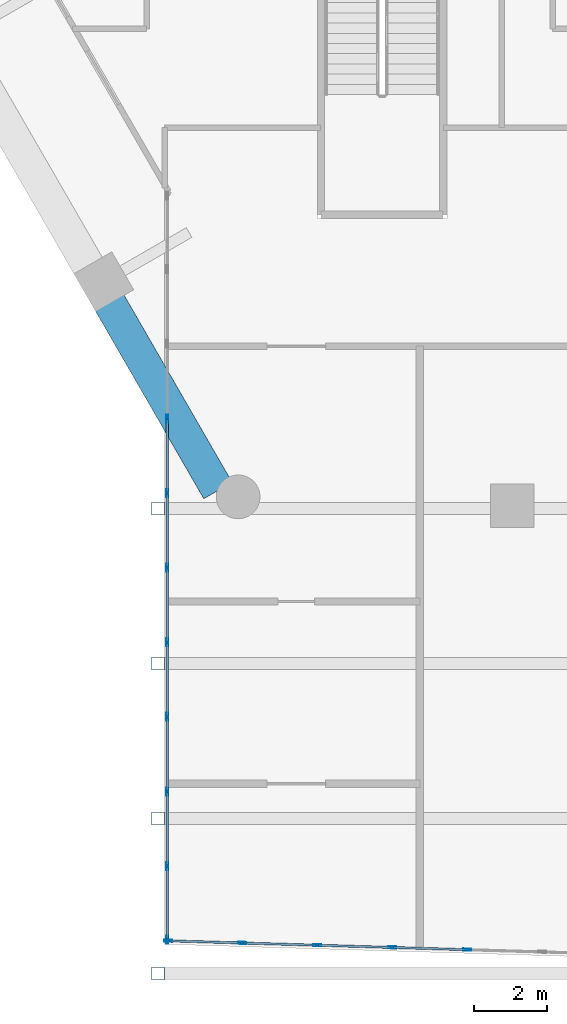
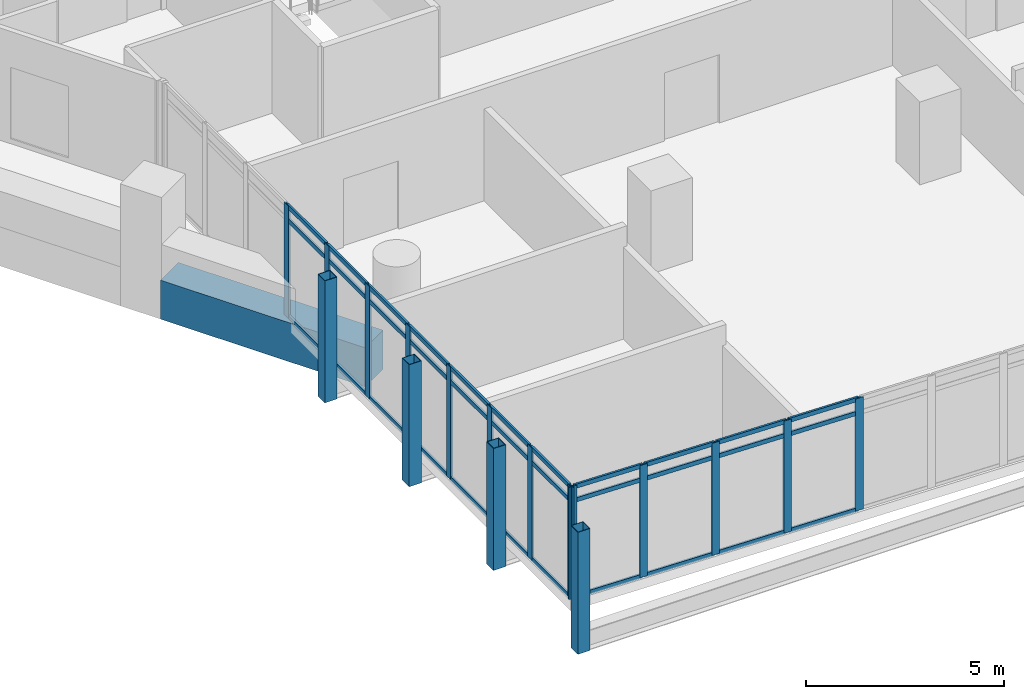
# One storey, part 2 of 28: 50 members, 1 beam, 2 elements without a shape of their own.
"""IFC4 building model written with IfcOpenShell, lengths in metres."""

from ifc_helpers import new_model, si_unit, direction, frame, origin, origin_2d, place, context, subcontext, project, spatial, rectangle, hollow_rectangle, extrude, material, material_profile, profile_set, type_object, element, aggregate, save


model = new_model("IFC4")

# Units and contexts
model_context = context("Model", 3, precision=1e-05, world=origin(), true_north=direction((0.0, 1.0)))
body_context = subcontext(model_context, "Body", "Model", "MODEL_VIEW")
ifc_project = project(units=[si_unit("LENGTHUNIT", "METRE"), si_unit("AREAUNIT", "SQUARE_METRE"), si_unit("VOLUMEUNIT", "CUBIC_METRE"), si_unit("PLANEANGLEUNIT", "RADIAN"), si_unit("MASSUNIT", "GRAM", prefix="KILO")], contexts=[model_context])

# Site, building, storey
site_placement = place(None, origin())
site = spatial("IfcSite", under=ifc_project, at=site_placement, CompositionType="ELEMENT")
building_placement = place(site_placement, origin())
building = spatial("IfcBuilding", under=site, at=building_placement, Name="Ostrander Bayou Hotel Tower", CompositionType="ELEMENT")
storey_placement = place(building_placement, frame((0.0, 0.0, 100.5)))
storey = spatial("IfcBuildingStorey", under=building, at=storey_placement, Name="L25", CompositionType="ELEMENT", Elevation=100.5)

# Curtain wall, members
ifc_material_1 = material(Name="Aluminium and clear glass", Category="aluminium")
curtain_wall_type = type_object("IfcCurtainWallType", Name="CW-BAR glazed wall", PredefinedType="NOTDEFINED", material=ifc_material_1)
curtain_wall_1_placement = place(storey_placement, origin())
curtain_wall_1 = element("IfcCurtainWall", 1, at=curtain_wall_1_placement, inside=storey, type_object=curtain_wall_type, Name="CW-BAR L25:SB2S:E", PredefinedType="NOTDEFINED")
ifc_material_2 = material(Name="Aluminium", Category="aluminium")
ifc_material_profile_1 = material_profile(ifc_material_2, hollow_rectangle(XDim=0.06005859375, YDim=0.219970703125, WallThickness=0.00390625, at=origin_2d()))
ifc_profile_set_1 = profile_set([ifc_material_profile_1], Name="Aluminium")
member_type_1 = type_object("IfcMemberType", Name="CW-BR mullion 60 x 220 mm", PredefinedType="MULLION", material=ifc_profile_set_1)
member_1_placement = place(storey_placement, frame((-13.3671875, -16.98388671875, 0.0), z_axis=(0.0, 0.0, 1.0), x_axis=(1.0, 0.0, 0.0)))
member_1 = element("IfcMember", 2, at=member_1_placement, type_object=member_type_1, Name="CW-BAR mullion 4", PredefinedType="MULLION", context=body_context, shape_type="SweptSolid", body=[
    extrude(hollow_rectangle(XDim=0.06005859375, YDim=0.219970703125, WallThickness=0.00390625, at=origin_2d()), origin(), (0.0, 0.0, 1.0), 3.449951171875),
])
member_2_placement = place(storey_placement, frame((-13.3671875, -19.029296875, 0.0), z_axis=(0.0, 0.0, 1.0), x_axis=(1.0, 0.0, 0.0)))
member_2 = element("IfcMember", 3, at=member_2_placement, type_object=member_type_1, Name="CW-BAR mullion 5", PredefinedType="MULLION", context=body_context, shape_type="SweptSolid", body=[
    extrude(hollow_rectangle(XDim=0.06005859375, YDim=0.219970703125, WallThickness=0.00390625, at=origin_2d()), origin(), (0.0, 0.0, 1.0), 3.449951171875),
])
member_3_placement = place(storey_placement, frame((-13.3671875, -21.07470703125, 0.0), z_axis=(0.0, 0.0, 1.0), x_axis=(1.0, 0.0, 0.0)))
member_3 = element("IfcMember", 4, at=member_3_placement, type_object=member_type_1, Name="CW-BAR mullion 6", PredefinedType="MULLION", context=body_context, shape_type="SweptSolid", body=[
    extrude(hollow_rectangle(XDim=0.06005859375, YDim=0.219970703125, WallThickness=0.00390625, at=origin_2d()), origin(), (0.0, 0.0, 1.0), 3.449951171875),
])
member_4_placement = place(storey_placement, frame((-13.3671875, -23.120361328125, 0.0), z_axis=(0.0, 0.0, 1.0), x_axis=(1.0, 0.0, 0.0)))
member_4 = element("IfcMember", 5, at=member_4_placement, type_object=member_type_1, Name="CW-BAR mullion 7", PredefinedType="MULLION", context=body_context, shape_type="SweptSolid", body=[
    extrude(hollow_rectangle(XDim=0.06005859375, YDim=0.219970703125, WallThickness=0.00390625, at=origin_2d()), origin(), (0.0, 0.0, 1.0), 3.449951171875),
])
member_5_placement = place(storey_placement, frame((-13.3671875, -25.165771484375, 0.0), z_axis=(0.0, 0.0, 1.0), x_axis=(1.0, 0.0, 0.0)))
member_5 = element("IfcMember", 6, at=member_5_placement, type_object=member_type_1, Name="CW-BAR mullion 8", PredefinedType="MULLION", context=body_context, shape_type="SweptSolid", body=[
    extrude(hollow_rectangle(XDim=0.06005859375, YDim=0.219970703125, WallThickness=0.00390625, at=origin_2d()), origin(), (0.0, 0.0, 1.0), 3.449951171875),
])
member_6_placement = place(storey_placement, frame((-13.3671875, -27.211181640625, 0.0), z_axis=(0.0, 0.0, 1.0), x_axis=(1.0, 0.0, 0.0)))
member_6 = element("IfcMember", 7, at=member_6_placement, type_object=member_type_1, Name="CW-BAR mullion 9", PredefinedType="MULLION", context=body_context, shape_type="SweptSolid", body=[
    extrude(hollow_rectangle(XDim=0.06005859375, YDim=0.219970703125, WallThickness=0.00390625, at=origin_2d()), origin(), (0.0, 0.0, 1.0), 3.449951171875),
])
member_7_placement = place(storey_placement, frame((-13.3671875, -29.256591796875, 0.0), z_axis=(0.0, 0.0, 1.0), x_axis=(1.0, 0.0, 0.0)))
member_7 = element("IfcMember", 8, at=member_7_placement, type_object=member_type_1, Name="CW-BAR mullion 10", PredefinedType="MULLION", context=body_context, shape_type="SweptSolid", body=[
    extrude(hollow_rectangle(XDim=0.06005859375, YDim=0.219970703125, WallThickness=0.00390625, at=origin_2d()), origin(), (0.0, 0.0, 1.0), 3.449951171875),
])
member_8_placement = place(storey_placement, frame((-13.3671875, -31.272216796875, 0.0), z_axis=(0.0, 0.0, 1.0), x_axis=(1.0, 0.0, 0.0)))
member_8 = element("IfcMember", 9, at=member_8_placement, type_object=member_type_1, Name="CW-BAR mullion 11", PredefinedType="MULLION", context=body_context, shape_type="SweptSolid", body=[
    extrude(hollow_rectangle(XDim=0.06005859375, YDim=0.219970703125, WallThickness=0.00390625, at=origin_2d()), origin(), (0.0, 0.0, 1.0), 3.449951171875),
])

curtain_wall_2_placement = place(storey_placement, origin())
curtain_wall_2 = element("IfcCurtainWall", 10, at=curtain_wall_2_placement, inside=storey, type_object=curtain_wall_type, Name="CW-BAR L25:SB2S:T", PredefinedType="NOTDEFINED")
member_9_placement = place(storey_placement, frame((-13.337158203125, -31.302978515625, 0.0), z_axis=(0.0, 0.0, 1.0), x_axis=(0.029746242041, 0.999557482631, 0.0)))
member_9 = element("IfcMember", 11, at=member_9_placement, type_object=member_type_1, Name="CW-BAR mullion 1", PredefinedType="MULLION", context=body_context, shape_type="SweptSolid", body=[
    extrude(hollow_rectangle(XDim=0.06005859375, YDim=0.219970703125, WallThickness=0.00390625, at=origin_2d()), origin(), (0.0, 0.0, 1.0), 3.449951171875),
])
member_10_placement = place(storey_placement, frame((-11.310791015625, -31.36328125, 0.0), z_axis=(0.0, 0.0, 1.0), x_axis=(0.029746242041, 0.999557482631, 0.0)))
member_10 = element("IfcMember", 12, at=member_10_placement, type_object=member_type_1, Name="CW-BAR mullion 2", PredefinedType="MULLION", context=body_context, shape_type="SweptSolid", body=[
    extrude(hollow_rectangle(XDim=0.06005859375, YDim=0.219970703125, WallThickness=0.00390625, at=origin_2d()), origin(), (0.0, 0.0, 1.0), 3.449951171875),
])
member_11_placement = place(storey_placement, frame((-9.254150390625, -31.424560546875, 0.0), z_axis=(0.0, 0.0, 1.0), x_axis=(0.029746242041, 0.999557482631, 0.0)))
member_11 = element("IfcMember", 13, at=member_11_placement, type_object=member_type_1, Name="CW-BAR mullion 3", PredefinedType="MULLION", context=body_context, shape_type="SweptSolid", body=[
    extrude(hollow_rectangle(XDim=0.06005859375, YDim=0.219970703125, WallThickness=0.00390625, at=origin_2d()), origin(), (0.0, 0.0, 1.0), 3.449951171875),
])
member_12_placement = place(storey_placement, frame((-7.19775390625, -31.48583984375, 0.0), z_axis=(0.0, 0.0, 1.0), x_axis=(0.029746242041, 0.999557482631, 0.0)))
member_12 = element("IfcMember", 14, at=member_12_placement, type_object=member_type_1, Name="CW-BAR mullion 4", PredefinedType="MULLION", context=body_context, shape_type="SweptSolid", body=[
    extrude(hollow_rectangle(XDim=0.06005859375, YDim=0.219970703125, WallThickness=0.00390625, at=origin_2d()), origin(), (0.0, 0.0, 1.0), 3.449951171875),
])
member_13_placement = place(storey_placement, frame((-5.14111328125, -31.547119140625, 0.0), z_axis=(0.0, 0.0, 1.0), x_axis=(0.029746242041, 0.999557482631, 0.0)))
member_13 = element("IfcMember", 15, at=member_13_placement, type_object=member_type_1, Name="CW-BAR mullion 5", PredefinedType="MULLION", context=body_context, shape_type="SweptSolid", body=[
    extrude(hollow_rectangle(XDim=0.06005859375, YDim=0.219970703125, WallThickness=0.00390625, at=origin_2d()), origin(), (0.0, 0.0, 1.0), 3.449951171875),
])

# Member
ifc_material_3 = material(Name="Aluminium", Category="aluminium")
ifc_material_profile_2 = material_profile(ifc_material_3, hollow_rectangle(XDim=0.06005859375, YDim=0.1298828125, WallThickness=0.00390625, at=origin_2d()))
ifc_profile_set_2 = profile_set([ifc_material_profile_2], Name="Aluminium")
member_type_2 = type_object("IfcMemberType", Name="CW-BR transom 60 x 130 mm", PredefinedType="USERDEFINED", material=ifc_profile_set_2)
member_14_placement = place(storey_placement, frame((-13.3671875, -17.013671875, 0.030029296875), z_axis=(0.0, -1.0, 0.0), x_axis=(1.0, 0.0, 0.0)))
member_14 = element("IfcMember", 16, at=member_14_placement, type_object=member_type_2, Name="CW-BAR transom 4.1", ObjectType="TRANSOM", PredefinedType="USERDEFINED", context=body_context, shape_type="SweptSolid", body=[
    extrude(hollow_rectangle(XDim=0.06005859375, YDim=0.1298828125, WallThickness=0.00390625, at=origin_2d()), origin(), (0.0, 0.0, 1.0), 1.985595703125),
])

member_15_placement = place(storey_placement, frame((-13.3671875, -17.013671875, 3.0), z_axis=(0.0, -1.0, 0.0), x_axis=(1.0, 0.0, 0.0)))
member_15 = element("IfcMember", 17, at=member_15_placement, type_object=member_type_2, Name="CW-BAR transom 4.2", ObjectType="TRANSOM", PredefinedType="USERDEFINED", context=body_context, shape_type="SweptSolid", body=[
    extrude(hollow_rectangle(XDim=0.06005859375, YDim=0.1298828125, WallThickness=0.00390625, at=origin_2d()), origin(), (0.0, 0.0, 1.0), 1.985595703125),
])

member_16_placement = place(storey_placement, frame((-13.3671875, -17.013671875, 3.419921875), z_axis=(0.0, -1.0, 0.0), x_axis=(1.0, 0.0, 0.0)))
member_16 = element("IfcMember", 18, at=member_16_placement, type_object=member_type_2, Name="CW-BAR transom 4.3", ObjectType="TRANSOM", PredefinedType="USERDEFINED", context=body_context, shape_type="SweptSolid", body=[
    extrude(hollow_rectangle(XDim=0.06005859375, YDim=0.1298828125, WallThickness=0.00390625, at=origin_2d()), origin(), (0.0, 0.0, 1.0), 1.985595703125),
])

member_17_placement = place(storey_placement, frame((-13.3671875, -19.059326171875, 0.030029296875), z_axis=(0.0, -1.0, 0.0), x_axis=(1.0, 0.0, 0.0)))
member_17 = element("IfcMember", 19, at=member_17_placement, type_object=member_type_2, Name="CW-BAR transom 5.1", ObjectType="TRANSOM", PredefinedType="USERDEFINED", context=body_context, shape_type="SweptSolid", body=[
    extrude(hollow_rectangle(XDim=0.06005859375, YDim=0.1298828125, WallThickness=0.00390625, at=origin_2d()), origin(), (0.0, 0.0, 1.0), 1.9853515625),
])

member_18_placement = place(storey_placement, frame((-13.3671875, -19.059326171875, 3.0), z_axis=(0.0, -1.0, 0.0), x_axis=(1.0, 0.0, 0.0)))
member_18 = element("IfcMember", 20, at=member_18_placement, type_object=member_type_2, Name="CW-BAR transom 5.2", ObjectType="TRANSOM", PredefinedType="USERDEFINED", context=body_context, shape_type="SweptSolid", body=[
    extrude(hollow_rectangle(XDim=0.06005859375, YDim=0.1298828125, WallThickness=0.00390625, at=origin_2d()), origin(), (0.0, 0.0, 1.0), 1.9853515625),
])

member_19_placement = place(storey_placement, frame((-13.3671875, -19.059326171875, 3.419921875), z_axis=(0.0, -1.0, 0.0), x_axis=(1.0, 0.0, 0.0)))
member_19 = element("IfcMember", 21, at=member_19_placement, type_object=member_type_2, Name="CW-BAR transom 5.3", ObjectType="TRANSOM", PredefinedType="USERDEFINED", context=body_context, shape_type="SweptSolid", body=[
    extrude(hollow_rectangle(XDim=0.06005859375, YDim=0.1298828125, WallThickness=0.00390625, at=origin_2d()), origin(), (0.0, 0.0, 1.0), 1.9853515625),
])

member_20_placement = place(storey_placement, frame((-13.3671875, -21.104736328125, 0.030029296875), z_axis=(0.0, -1.0, 0.0), x_axis=(1.0, 0.0, 0.0)))
member_20 = element("IfcMember", 22, at=member_20_placement, type_object=member_type_2, Name="CW-BAR transom 6.1", ObjectType="TRANSOM", PredefinedType="USERDEFINED", context=body_context, shape_type="SweptSolid", body=[
    extrude(hollow_rectangle(XDim=0.06005859375, YDim=0.1298828125, WallThickness=0.00390625, at=origin_2d()), origin(), (0.0, 0.0, 1.0), 1.985595703125),
])

member_21_placement = place(storey_placement, frame((-13.3671875, -21.104736328125, 3.0), z_axis=(0.0, -1.0, 0.0), x_axis=(1.0, 0.0, 0.0)))
member_21 = element("IfcMember", 23, at=member_21_placement, type_object=member_type_2, Name="CW-BAR transom 6.2", ObjectType="TRANSOM", PredefinedType="USERDEFINED", context=body_context, shape_type="SweptSolid", body=[
    extrude(hollow_rectangle(XDim=0.06005859375, YDim=0.1298828125, WallThickness=0.00390625, at=origin_2d()), origin(), (0.0, 0.0, 1.0), 1.985595703125),
])

member_22_placement = place(storey_placement, frame((-13.3671875, -21.104736328125, 3.419921875), z_axis=(0.0, -1.0, 0.0), x_axis=(1.0, 0.0, 0.0)))
member_22 = element("IfcMember", 24, at=member_22_placement, type_object=member_type_2, Name="CW-BAR transom 6.3", ObjectType="TRANSOM", PredefinedType="USERDEFINED", context=body_context, shape_type="SweptSolid", body=[
    extrude(hollow_rectangle(XDim=0.06005859375, YDim=0.1298828125, WallThickness=0.00390625, at=origin_2d()), origin(), (0.0, 0.0, 1.0), 1.985595703125),
])

member_23_placement = place(storey_placement, frame((-13.3671875, -23.150146484375, 0.030029296875), z_axis=(0.0, -1.0, 0.0), x_axis=(1.0, 0.0, 0.0)))
member_23 = element("IfcMember", 25, at=member_23_placement, type_object=member_type_2, Name="CW-BAR transom 7.1", ObjectType="TRANSOM", PredefinedType="USERDEFINED", context=body_context, shape_type="SweptSolid", body=[
    extrude(hollow_rectangle(XDim=0.06005859375, YDim=0.1298828125, WallThickness=0.00390625, at=origin_2d()), origin(), (0.0, 0.0, 1.0), 1.985595703125),
])

member_24_placement = place(storey_placement, frame((-13.3671875, -23.150146484375, 3.0), z_axis=(0.0, -1.0, 0.0), x_axis=(1.0, 0.0, 0.0)))
member_24 = element("IfcMember", 26, at=member_24_placement, type_object=member_type_2, Name="CW-BAR transom 7.2", ObjectType="TRANSOM", PredefinedType="USERDEFINED", context=body_context, shape_type="SweptSolid", body=[
    extrude(hollow_rectangle(XDim=0.06005859375, YDim=0.1298828125, WallThickness=0.00390625, at=origin_2d()), origin(), (0.0, 0.0, 1.0), 1.985595703125),
])

member_25_placement = place(storey_placement, frame((-13.3671875, -23.150146484375, 3.419921875), z_axis=(0.0, -1.0, 0.0), x_axis=(1.0, 0.0, 0.0)))
member_25 = element("IfcMember", 27, at=member_25_placement, type_object=member_type_2, Name="CW-BAR transom 7.3", ObjectType="TRANSOM", PredefinedType="USERDEFINED", context=body_context, shape_type="SweptSolid", body=[
    extrude(hollow_rectangle(XDim=0.06005859375, YDim=0.1298828125, WallThickness=0.00390625, at=origin_2d()), origin(), (0.0, 0.0, 1.0), 1.985595703125),
])

member_26_placement = place(storey_placement, frame((-13.3671875, -25.19580078125, 0.030029296875), z_axis=(0.0, -1.0, 0.0), x_axis=(1.0, 0.0, 0.0)))
member_26 = element("IfcMember", 28, at=member_26_placement, type_object=member_type_2, Name="CW-BAR transom 8.1", ObjectType="TRANSOM", PredefinedType="USERDEFINED", context=body_context, shape_type="SweptSolid", body=[
    extrude(hollow_rectangle(XDim=0.06005859375, YDim=0.1298828125, WallThickness=0.00390625, at=origin_2d()), origin(), (0.0, 0.0, 1.0), 1.9853515625),
])

member_27_placement = place(storey_placement, frame((-13.3671875, -25.19580078125, 3.0), z_axis=(0.0, -1.0, 0.0), x_axis=(1.0, 0.0, 0.0)))
member_27 = element("IfcMember", 29, at=member_27_placement, type_object=member_type_2, Name="CW-BAR transom 8.2", ObjectType="TRANSOM", PredefinedType="USERDEFINED", context=body_context, shape_type="SweptSolid", body=[
    extrude(hollow_rectangle(XDim=0.06005859375, YDim=0.1298828125, WallThickness=0.00390625, at=origin_2d()), origin(), (0.0, 0.0, 1.0), 1.9853515625),
])

member_28_placement = place(storey_placement, frame((-13.3671875, -25.19580078125, 3.419921875), z_axis=(0.0, -1.0, 0.0), x_axis=(1.0, 0.0, 0.0)))
member_28 = element("IfcMember", 30, at=member_28_placement, type_object=member_type_2, Name="CW-BAR transom 8.3", ObjectType="TRANSOM", PredefinedType="USERDEFINED", context=body_context, shape_type="SweptSolid", body=[
    extrude(hollow_rectangle(XDim=0.06005859375, YDim=0.1298828125, WallThickness=0.00390625, at=origin_2d()), origin(), (0.0, 0.0, 1.0), 1.9853515625),
])

member_29_placement = place(storey_placement, frame((-13.3671875, -27.2412109375, 0.030029296875), z_axis=(0.0, -1.0, 0.0), x_axis=(1.0, 0.0, 0.0)))
member_29 = element("IfcMember", 31, at=member_29_placement, type_object=member_type_2, Name="CW-BAR transom 9.1", ObjectType="TRANSOM", PredefinedType="USERDEFINED", context=body_context, shape_type="SweptSolid", body=[
    extrude(hollow_rectangle(XDim=0.06005859375, YDim=0.1298828125, WallThickness=0.00390625, at=origin_2d()), origin(), (0.0, 0.0, 1.0), 1.985595703125),
])

member_30_placement = place(storey_placement, frame((-13.3671875, -27.2412109375, 3.0), z_axis=(0.0, -1.0, 0.0), x_axis=(1.0, 0.0, 0.0)))
member_30 = element("IfcMember", 32, at=member_30_placement, type_object=member_type_2, Name="CW-BAR transom 9.2", ObjectType="TRANSOM", PredefinedType="USERDEFINED", context=body_context, shape_type="SweptSolid", body=[
    extrude(hollow_rectangle(XDim=0.06005859375, YDim=0.1298828125, WallThickness=0.00390625, at=origin_2d()), origin(), (0.0, 0.0, 1.0), 1.985595703125),
])

member_31_placement = place(storey_placement, frame((-13.3671875, -27.2412109375, 3.419921875), z_axis=(0.0, -1.0, 0.0), x_axis=(1.0, 0.0, 0.0)))
member_31 = element("IfcMember", 33, at=member_31_placement, type_object=member_type_2, Name="CW-BAR transom 9.3", ObjectType="TRANSOM", PredefinedType="USERDEFINED", context=body_context, shape_type="SweptSolid", body=[
    extrude(hollow_rectangle(XDim=0.06005859375, YDim=0.1298828125, WallThickness=0.00390625, at=origin_2d()), origin(), (0.0, 0.0, 1.0), 1.985595703125),
])

member_32_placement = place(storey_placement, frame((-13.3671875, -29.28662109375, 0.030029296875), z_axis=(0.0, -1.0, 0.0), x_axis=(1.0, 0.0, 0.0)))
member_32 = element("IfcMember", 34, at=member_32_placement, type_object=member_type_2, Name="CW-BAR transom 10.1", ObjectType="TRANSOM", PredefinedType="USERDEFINED", context=body_context, shape_type="SweptSolid", body=[
    extrude(hollow_rectangle(XDim=0.06005859375, YDim=0.1298828125, WallThickness=0.00390625, at=origin_2d()), origin(), (0.0, 0.0, 1.0), 1.95556640625),
])

member_33_placement = place(storey_placement, frame((-13.3671875, -29.28662109375, 3.0), z_axis=(0.0, -1.0, 0.0), x_axis=(1.0, 0.0, 0.0)))
member_33 = element("IfcMember", 35, at=member_33_placement, type_object=member_type_2, Name="CW-BAR transom 10.2", ObjectType="TRANSOM", PredefinedType="USERDEFINED", context=body_context, shape_type="SweptSolid", body=[
    extrude(hollow_rectangle(XDim=0.06005859375, YDim=0.1298828125, WallThickness=0.00390625, at=origin_2d()), origin(), (0.0, 0.0, 1.0), 1.95556640625),
])

member_34_placement = place(storey_placement, frame((-13.3671875, -29.28662109375, 3.419921875), z_axis=(0.0, -1.0, 0.0), x_axis=(1.0, 0.0, 0.0)))
member_34 = element("IfcMember", 36, at=member_34_placement, type_object=member_type_2, Name="CW-BAR transom 10.3", ObjectType="TRANSOM", PredefinedType="USERDEFINED", context=body_context, shape_type="SweptSolid", body=[
    extrude(hollow_rectangle(XDim=0.06005859375, YDim=0.1298828125, WallThickness=0.00390625, at=origin_2d()), origin(), (0.0, 0.0, 1.0), 1.95556640625),
])

aggregate(curtain_wall_1, [member_1, member_2, member_3, member_4, member_5, member_6, member_7, member_8, member_14, member_15, member_16, member_17, member_18, member_19, member_20, member_21, member_22, member_23, member_24, member_25, member_26, member_27, member_28, member_29, member_30, member_31, member_32, member_33, member_34])

member_35_placement = place(storey_placement, frame((-13.30712890625, -31.303955078125, 0.030029296875), z_axis=(0.999556419591, -0.029781941738, 0.0), x_axis=(0.029781941738, 0.999556419591, 0.0)))
member_35 = element("IfcMember", 37, at=member_35_placement, type_object=member_type_2, Name="CW-BAR transom 1.1", ObjectType="TRANSOM", PredefinedType="USERDEFINED", context=body_context, shape_type="SweptSolid", body=[
    extrude(hollow_rectangle(XDim=0.06005859375, YDim=0.1298828125, WallThickness=0.00390625, at=origin_2d()), origin(), (0.0, 0.0, 1.0), 1.967529296875),
])

member_36_placement = place(storey_placement, frame((-13.30712890625, -31.303955078125, 3.0), z_axis=(0.999556419591, -0.029781941738, 0.0), x_axis=(0.029781941738, 0.999556419591, 0.0)))
member_36 = element("IfcMember", 38, at=member_36_placement, type_object=member_type_2, Name="CW-BAR transom 1.2", ObjectType="TRANSOM", PredefinedType="USERDEFINED", context=body_context, shape_type="SweptSolid", body=[
    extrude(hollow_rectangle(XDim=0.06005859375, YDim=0.1298828125, WallThickness=0.00390625, at=origin_2d()), origin(), (0.0, 0.0, 1.0), 1.967529296875),
])

member_37_placement = place(storey_placement, frame((-13.30712890625, -31.303955078125, 3.419921875), z_axis=(0.999556419591, -0.029781941738, 0.0), x_axis=(0.029781941738, 0.999556419591, 0.0)))
member_37 = element("IfcMember", 39, at=member_37_placement, type_object=member_type_2, Name="CW-BAR transom 1.3", ObjectType="TRANSOM", PredefinedType="USERDEFINED", context=body_context, shape_type="SweptSolid", body=[
    extrude(hollow_rectangle(XDim=0.06005859375, YDim=0.1298828125, WallThickness=0.00390625, at=origin_2d()), origin(), (0.0, 0.0, 1.0), 1.967529296875),
])

member_38_placement = place(storey_placement, frame((-11.28076171875, -31.3642578125, 0.030029296875), z_axis=(0.999555199151, -0.029822874614, 0.0), x_axis=(0.029822874614, 0.999555199151, 0.0)))
member_38 = element("IfcMember", 40, at=member_38_placement, type_object=member_type_2, Name="CW-BAR transom 2.1", ObjectType="TRANSOM", PredefinedType="USERDEFINED", context=body_context, shape_type="SweptSolid", body=[
    extrude(hollow_rectangle(XDim=0.06005859375, YDim=0.1298828125, WallThickness=0.00390625, at=origin_2d()), origin(), (0.0, 0.0, 1.0), 1.99755859375),
])

member_39_placement = place(storey_placement, frame((-11.28076171875, -31.3642578125, 3.0), z_axis=(0.999555199151, -0.029822874614, 0.0), x_axis=(0.029822874614, 0.999555199151, 0.0)))
member_39 = element("IfcMember", 41, at=member_39_placement, type_object=member_type_2, Name="CW-BAR transom 2.2", ObjectType="TRANSOM", PredefinedType="USERDEFINED", context=body_context, shape_type="SweptSolid", body=[
    extrude(hollow_rectangle(XDim=0.06005859375, YDim=0.1298828125, WallThickness=0.00390625, at=origin_2d()), origin(), (0.0, 0.0, 1.0), 1.99755859375),
])

member_40_placement = place(storey_placement, frame((-11.28076171875, -31.3642578125, 3.419921875), z_axis=(0.999555199151, -0.029822874614, 0.0), x_axis=(0.029822874614, 0.999555199151, 0.0)))
member_40 = element("IfcMember", 42, at=member_40_placement, type_object=member_type_2, Name="CW-BAR transom 2.3", ObjectType="TRANSOM", PredefinedType="USERDEFINED", context=body_context, shape_type="SweptSolid", body=[
    extrude(hollow_rectangle(XDim=0.06005859375, YDim=0.1298828125, WallThickness=0.00390625, at=origin_2d()), origin(), (0.0, 0.0, 1.0), 1.99755859375),
])

member_41_placement = place(storey_placement, frame((-9.22412109375, -31.425537109375, 0.030029296875), z_axis=(0.999558727342, -0.029704386785, 0.0), x_axis=(0.029704386785, 0.999558727342, 0.0)))
member_41 = element("IfcMember", 43, at=member_41_placement, type_object=member_type_2, Name="CW-BAR transom 3.1", ObjectType="TRANSOM", PredefinedType="USERDEFINED", context=body_context, shape_type="SweptSolid", body=[
    extrude(hollow_rectangle(XDim=0.06005859375, YDim=0.1298828125, WallThickness=0.00390625, at=origin_2d()), origin(), (0.0, 0.0, 1.0), 1.997314453125),
])

member_42_placement = place(storey_placement, frame((-9.22412109375, -31.425537109375, 3.0), z_axis=(0.999558727342, -0.029704386785, 0.0), x_axis=(0.029704386785, 0.999558727342, 0.0)))
member_42 = element("IfcMember", 44, at=member_42_placement, type_object=member_type_2, Name="CW-BAR transom 3.2", ObjectType="TRANSOM", PredefinedType="USERDEFINED", context=body_context, shape_type="SweptSolid", body=[
    extrude(hollow_rectangle(XDim=0.06005859375, YDim=0.1298828125, WallThickness=0.00390625, at=origin_2d()), origin(), (0.0, 0.0, 1.0), 1.997314453125),
])

member_43_placement = place(storey_placement, frame((-9.22412109375, -31.425537109375, 3.419921875), z_axis=(0.999558727342, -0.029704386785, 0.0), x_axis=(0.029704386785, 0.999558727342, 0.0)))
member_43 = element("IfcMember", 45, at=member_43_placement, type_object=member_type_2, Name="CW-BAR transom 3.3", ObjectType="TRANSOM", PredefinedType="USERDEFINED", context=body_context, shape_type="SweptSolid", body=[
    extrude(hollow_rectangle(XDim=0.06005859375, YDim=0.1298828125, WallThickness=0.00390625, at=origin_2d()), origin(), (0.0, 0.0, 1.0), 1.997314453125),
])

member_44_placement = place(storey_placement, frame((-7.167724609375, -31.486572265625, 0.030029296875), z_axis=(0.999555199151, -0.029822874614, 0.0), x_axis=(0.029822874614, 0.999555199151, 0.0)))
member_44 = element("IfcMember", 46, at=member_44_placement, type_object=member_type_2, Name="CW-BAR transom 4.1", ObjectType="TRANSOM", PredefinedType="USERDEFINED", context=body_context, shape_type="SweptSolid", body=[
    extrude(hollow_rectangle(XDim=0.06005859375, YDim=0.1298828125, WallThickness=0.00390625, at=origin_2d()), origin(), (0.0, 0.0, 1.0), 1.99755859375),
])

member_45_placement = place(storey_placement, frame((-7.167724609375, -31.486572265625, 3.0), z_axis=(0.999555199151, -0.029822874614, 0.0), x_axis=(0.029822874614, 0.999555199151, 0.0)))
member_45 = element("IfcMember", 47, at=member_45_placement, type_object=member_type_2, Name="CW-BAR transom 4.2", ObjectType="TRANSOM", PredefinedType="USERDEFINED", context=body_context, shape_type="SweptSolid", body=[
    extrude(hollow_rectangle(XDim=0.06005859375, YDim=0.1298828125, WallThickness=0.00390625, at=origin_2d()), origin(), (0.0, 0.0, 1.0), 1.99755859375),
])

member_46_placement = place(storey_placement, frame((-7.167724609375, -31.486572265625, 3.419921875), z_axis=(0.999555199151, -0.029822874614, 0.0), x_axis=(0.029822874614, 0.999555199151, 0.0)))
member_46 = element("IfcMember", 48, at=member_46_placement, type_object=member_type_2, Name="CW-BAR transom 4.3", ObjectType="TRANSOM", PredefinedType="USERDEFINED", context=body_context, shape_type="SweptSolid", body=[
    extrude(hollow_rectangle(XDim=0.06005859375, YDim=0.1298828125, WallThickness=0.00390625, at=origin_2d()), origin(), (0.0, 0.0, 1.0), 1.99755859375),
])

aggregate(curtain_wall_2, [member_9, member_10, member_11, member_12, member_13, member_35, member_36, member_37, member_38, member_39, member_40, member_41, member_42, member_43, member_44, member_45, member_46])

# Beam
ifc_material_4 = material(Name="Concrete f'c 70 MPa", Category="concrete")
ifc_material_profile_3 = material_profile(ifc_material_4, rectangle(XDim=0.89990234375, YDim=1.199951171875, at=origin_2d()))
ifc_profile_set_3 = profile_set([ifc_material_profile_3], Name="Concrete f'c 70 MPa")
beam_type = type_object("IfcBeamType", Name="SP2 spandrel beam 900 x 1200 mm f'c 70 MPa", PredefinedType="SPANDREL", material=ifc_profile_set_3)
beam_placement = place(storey_placement, frame((-14.9521484375, -13.802001953125, -0.60009765625), z_axis=(0.499988630717, -0.866031967744, 0.0), x_axis=(0.866031967744, 0.499988630717, 0.0)))
element("IfcBeam", 49, at=beam_placement, inside=storey, type_object=beam_type, Name="SP2 L25 SW-3", PredefinedType="SPANDREL", context=body_context, shape_type="SweptSolid", body=[
    extrude(rectangle(XDim=0.89990234375, YDim=1.199951171875, at=origin_2d()), origin(), (0.0, 0.0, 1.0), 5.954833984375),
])

# Members
ifc_material_5 = material(Name="Steel ASTM A500 Gr C", Category="steel")
ifc_material_profile_4 = material_profile(ifc_material_5, hollow_rectangle(XDim=0.355712890625, YDim=0.355712890625, WallThickness=0.0146484375, at=origin_2d()))
ifc_profile_set_4 = profile_set([ifc_material_profile_4], Name="Steel ASTM A500 Gr C")
member_type_3 = type_object("IfcMemberType", Name="TH1 bar hanger HSS14x14x5/8", PredefinedType="POST", material=ifc_profile_set_4)
for number, where, z_axis, x_axis, name in (
    (50, (-13.6201171875, -19.450927734375, -0.921875), (0.0, 0.0, 1.0), (1.0, 0.0, 0.0), "TH1 SB2SA H1-3"),
    (51, (-13.6201171875, -23.70068359375, -0.921875), (0.0, 0.0, 1.0), (1.0, 0.0, 0.0), "TH1 SB2SA H2-3"),
    (52, (-13.6201171875, -27.9501953125, -0.921875), (0.0, 0.0, 1.0), (1.0, 0.0, 0.0), "TH1 SB2SA H3-3"),
    (53, (-13.6201171875, -32.199951171875, -0.921875), (0.0, 0.0, 1.0), (1.0, 0.0, 0.0), "TH1 SB2SA H4-3"),
):
    element("IfcMember", number, at=place(storey_placement, frame(where, z_axis=z_axis, x_axis=x_axis)), inside=storey, type_object=member_type_3, Name=name, PredefinedType="POST", context=body_context, shape_type="SweptSolid", body=[
        extrude(hollow_rectangle(XDim=0.355712890625, YDim=0.355712890625, WallThickness=0.0146484375, at=origin_2d()), origin(), (0.0, 0.0, 1.0), 3.75),
    ])

save(model, "model.ifc")
